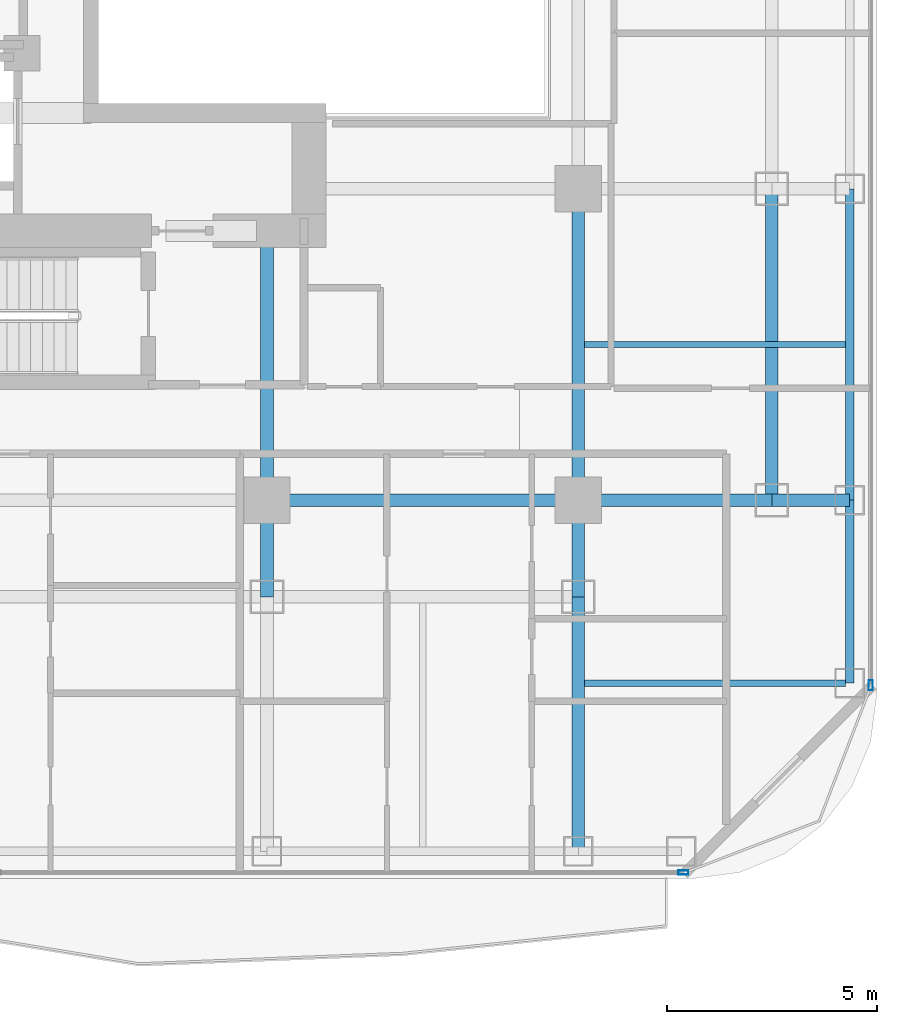
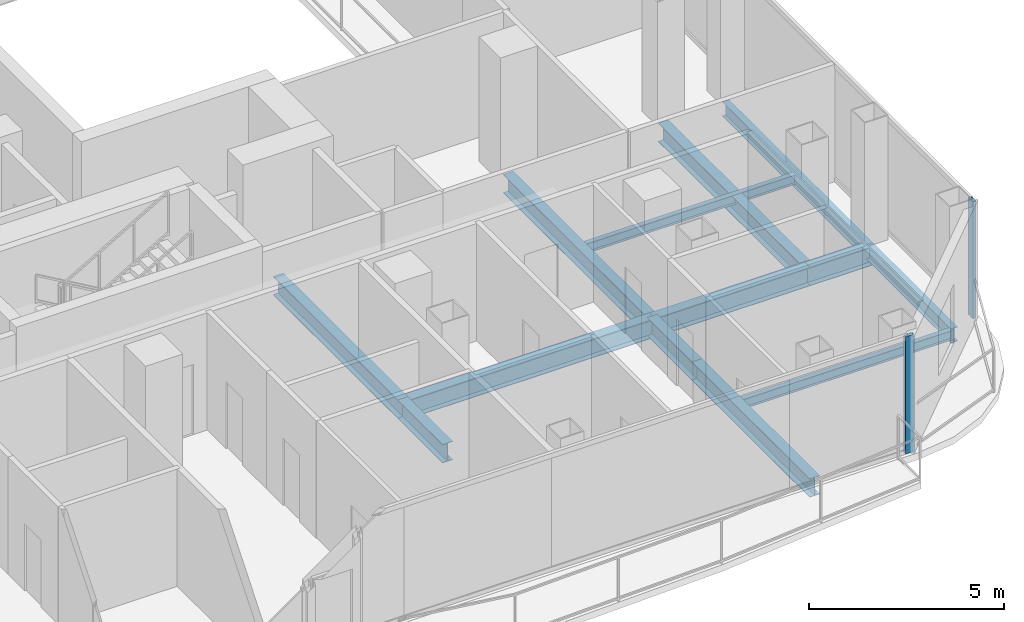
# One storey, part 7 of 25: 13 beams, 2 members, 2 elements without a shape of their own.
"""IFC4 building model written with IfcOpenShell, lengths in metres."""

from ifc_helpers import new_model, si_unit, direction, frame, origin, origin_2d, place, context, subcontext, project, spatial, hollow_rectangle, i_section, extrude, material, layer, layer_set, material_profile, profile_set, type_object, element, aggregate, save


model = new_model("IFC4")

# Units and contexts
model_context = context("Model", 3, precision=1e-05, world=origin(), true_north=direction((0.0, 1.0)))
body_context = subcontext(model_context, "Body", "Model", "MODEL_VIEW")
ifc_project = project(units=[si_unit("LENGTHUNIT", "METRE"), si_unit("AREAUNIT", "SQUARE_METRE"), si_unit("VOLUMEUNIT", "CUBIC_METRE"), si_unit("PLANEANGLEUNIT", "RADIAN"), si_unit("MASSUNIT", "GRAM", prefix="KILO")], contexts=[model_context])

# Site, building, storey
site_placement = place(None, origin())
site = spatial("IfcSite", under=ifc_project, at=site_placement, CompositionType="ELEMENT")
building_placement = place(site_placement, origin())
building = spatial("IfcBuilding", under=site, at=building_placement, Name="Khorvyn Point Tower", CompositionType="ELEMENT")
storey_placement = place(building_placement, frame((0.0, 0.0, 171.89990234375)))
storey = spatial("IfcBuildingStorey", under=building, at=storey_placement, Name="L42", CompositionType="ELEMENT", Elevation=171.89990234375)

# Curtain wall, member
ifc_material_1 = material(Name="Anodised aluminium 6063-T6 and laminated Low-E glass", Category="aluminium")
ifc_layer = layer(ifc_material_1, 0.18994140625)
ifc_layer_set = layer_set([ifc_layer], Name="Stick-Built Acoustic Curtain Wall CW-SYS-03")
curtain_wall_type = type_object("IfcCurtainWallType", Name="Stick-Built Acoustic Curtain Wall CW-SYS-03", PredefinedType="NOTDEFINED", material=ifc_layer_set)
curtain_wall_1_placement = place(storey_placement, origin())
curtain_wall_1 = element("IfcCurtainWall", 1, at=curtain_wall_1_placement, inside=storey, type_object=curtain_wall_type, Name="Curtain Wall", PredefinedType="NOTDEFINED")
ifc_material_2 = material(Name="Anodised aluminium 6063-T6", Category="aluminium")
ifc_material_profile_1 = material_profile(ifc_material_2, hollow_rectangle(XDim=0.10009765625, YDim=0.239990234375, WallThickness=0.0048828125, at=origin_2d()))
ifc_profile_set_1 = profile_set([ifc_material_profile_1], Name="Anodised aluminium 6063-T6 ALU-MUL-100x240")
member_type = type_object("IfcMemberType", Name="Anodised Aluminium 6063-T6 Mullion ALU-MUL-100x240", PredefinedType="MULLION", material=ifc_profile_set_1)
member_1_placement = place(storey_placement, frame((17.300048828125, -23.64990234375, 0.0), z_axis=(0.0, 0.0, 1.0), x_axis=(0.0, -1.0, 0.0)))
member_1 = element("IfcMember", 2, at=member_1_placement, type_object=member_type, Name="Transom", PredefinedType="MULLION", context=body_context, shape_type="SweptSolid", body=[
    extrude(hollow_rectangle(XDim=0.10009765625, YDim=0.239990234375, WallThickness=0.0048828125, at=origin_2d()), origin(), (0.0, 0.0, 1.0), 3.68017578125),
])
aggregate(curtain_wall_1, [member_1])

curtain_wall_2_placement = place(storey_placement, origin())
curtain_wall_2 = element("IfcCurtainWall", 3, at=curtain_wall_2_placement, inside=storey, type_object=curtain_wall_type, Name="Curtain Wall", PredefinedType="NOTDEFINED")
member_2_placement = place(storey_placement, frame((21.75, -19.199951171875, 0.0), z_axis=(0.0, 0.0, 1.0), x_axis=(1.0, 0.0, 0.0)))
member_2 = element("IfcMember", 4, at=member_2_placement, type_object=member_type, Name="Transom", PredefinedType="MULLION", context=body_context, shape_type="SweptSolid", body=[
    extrude(hollow_rectangle(XDim=0.10009765625, YDim=0.239990234375, WallThickness=0.0048828125, at=origin_2d()), origin(), (0.0, 0.0, 1.0), 3.68017578125),
])
aggregate(curtain_wall_2, [member_2])

# Beams
ifc_material_3 = material(Name="Steel S355", Category="steel")
ifc_material_profile_2 = material_profile(ifc_material_3, i_section(OverallWidth=0.300048828125, OverallDepth=0.587890625, WebThickness=0.011962890625, FlangeThickness=0.02001953125, at=origin_2d()))
ifc_profile_set_2 = profile_set([ifc_material_profile_2], Name="Steel S355 H588x300x12x20")
beam_type_1 = type_object("IfcBeamType", Name="Steel S355 Beam H588x300x12x20", PredefinedType="BEAM", material=ifc_profile_set_2)
beam_1_placement = place(storey_placement, frame((7.39990234375, -14.800048828125, -0.513916015625), z_axis=(1.0, 0.0, 0.0), x_axis=(0.0, 1.0, 0.0)))
element("IfcBeam", 5, at=beam_1_placement, inside=storey, type_object=beam_type_1, Name="Beam", PredefinedType="BEAM", context=body_context, shape_type="SweptSolid", body=[
    extrude(i_section(OverallWidth=0.300048828125, OverallDepth=0.587890625, WebThickness=0.011962890625, FlangeThickness=0.02001953125, at=origin_2d()), origin(), (0.0, 0.0, 1.0), 7.400146484375),
])
beam_2_placement = place(storey_placement, frame((14.800048828125, -14.800048828125, -0.513916015625), z_axis=(1.0, 0.0, 0.0), x_axis=(0.0, 1.0, 0.0)))
element("IfcBeam", 6, at=beam_2_placement, inside=storey, type_object=beam_type_1, Name="Beam", PredefinedType="BEAM", context=body_context, shape_type="SweptSolid", body=[
    extrude(i_section(OverallWidth=0.300048828125, OverallDepth=0.587890625, WebThickness=0.011962890625, FlangeThickness=0.02001953125, at=origin_2d()), origin(), (0.0, 0.0, 1.0), 4.599853515625),
])
beam_3_placement = place(storey_placement, frame((19.39990234375, -14.800048828125, -0.513916015625), z_axis=(1.0, 0.0, 0.0), x_axis=(0.0, 1.0, 0.0)))
element("IfcBeam", 7, at=beam_3_placement, inside=storey, type_object=beam_type_1, Name="Beam", PredefinedType="BEAM", context=body_context, shape_type="SweptSolid", body=[
    extrude(i_section(OverallWidth=0.300048828125, OverallDepth=0.587890625, WebThickness=0.011962890625, FlangeThickness=0.02001953125, at=origin_2d()), origin(), (0.0, 0.0, 1.0), 1.85009765625),
])
beam_4_placement = place(storey_placement, frame((14.800048828125, -23.14990234375, -0.513916015625), z_axis=(0.0, 1.0, 0.0), x_axis=(-1.0, 0.0, 0.0)))
element("IfcBeam", 8, at=beam_4_placement, inside=storey, type_object=beam_type_1, Name="Beam", PredefinedType="BEAM", context=body_context, shape_type="SweptSolid", body=[
    extrude(i_section(OverallWidth=0.300048828125, OverallDepth=0.587890625, WebThickness=0.011962890625, FlangeThickness=0.02001953125, at=origin_2d()), origin(), (0.0, 0.0, 1.0), 6.0498046875),
])
beam_5_placement = place(storey_placement, frame((14.800048828125, -17.10009765625, -0.513916015625), z_axis=(0.0, 1.0, 0.0), x_axis=(-1.0, 0.0, 0.0)))
element("IfcBeam", 9, at=beam_5_placement, inside=storey, type_object=beam_type_1, Name="Beam", PredefinedType="BEAM", context=body_context, shape_type="SweptSolid", body=[
    extrude(i_section(OverallWidth=0.300048828125, OverallDepth=0.587890625, WebThickness=0.011962890625, FlangeThickness=0.02001953125, at=origin_2d()), origin(), (0.0, 0.0, 1.0), 2.300048828125),
])
beam_6_placement = place(storey_placement, frame((14.800048828125, -14.800048828125, -0.513916015625), z_axis=(0.0, 1.0, 0.0), x_axis=(-1.0, 0.0, 0.0)))
element("IfcBeam", 10, at=beam_6_placement, inside=storey, type_object=beam_type_1, Name="Beam", PredefinedType="BEAM", context=body_context, shape_type="SweptSolid", body=[
    extrude(i_section(OverallWidth=0.300048828125, OverallDepth=0.587890625, WebThickness=0.011962890625, FlangeThickness=0.02001953125, at=origin_2d()), origin(), (0.0, 0.0, 1.0), 7.400146484375),
])
beam_7_placement = place(storey_placement, frame((7.39990234375, -17.10009765625, -0.513916015625), z_axis=(0.0, 1.0, 0.0), x_axis=(-1.0, 0.0, 0.0)))
element("IfcBeam", 11, at=beam_7_placement, inside=storey, type_object=beam_type_1, Name="Beam", PredefinedType="BEAM", context=body_context, shape_type="SweptSolid", body=[
    extrude(i_section(OverallWidth=0.300048828125, OverallDepth=0.587890625, WebThickness=0.011962890625, FlangeThickness=0.02001953125, at=origin_2d()), origin(), (0.0, 0.0, 1.0), 2.300048828125),
])
beam_8_placement = place(storey_placement, frame((7.39990234375, -14.800048828125, -0.513916015625), z_axis=(0.0, 1.0, 0.0), x_axis=(-1.0, 0.0, 0.0)))
element("IfcBeam", 12, at=beam_8_placement, inside=storey, type_object=beam_type_1, Name="Beam", PredefinedType="BEAM", context=body_context, shape_type="SweptSolid", body=[
    extrude(i_section(OverallWidth=0.300048828125, OverallDepth=0.587890625, WebThickness=0.011962890625, FlangeThickness=0.02001953125, at=origin_2d()), origin(), (0.0, 0.0, 1.0), 6.400146484375),
])
beam_9_placement = place(storey_placement, frame((19.39990234375, -14.800048828125, -0.513916015625), z_axis=(0.0, 1.0, 0.0), x_axis=(-1.0, 0.0, 0.0)))
element("IfcBeam", 13, at=beam_9_placement, inside=storey, type_object=beam_type_1, Name="Beam", PredefinedType="BEAM", context=body_context, shape_type="SweptSolid", body=[
    extrude(i_section(OverallWidth=0.300048828125, OverallDepth=0.587890625, WebThickness=0.011962890625, FlangeThickness=0.02001953125, at=origin_2d()), origin(), (0.0, 0.0, 1.0), 7.400146484375),
])
ifc_material_profile_3 = material_profile(ifc_material_3, i_section(OverallWidth=0.14990234375, OverallDepth=0.300048828125, WebThickness=0.006591796875, FlangeThickness=0.009033203125, at=origin_2d()))
ifc_profile_set_3 = profile_set([ifc_material_profile_3], Name="Steel S355 H300x150x6.5x9")
beam_type_2 = type_object("IfcBeamType", Name="Steel S355 Joist H300x150x6.5x9", PredefinedType="JOIST", material=ifc_profile_set_3)
for number, where, z_axis, x_axis, name in (
    (14, (14.949951171875, -11.10009765625, -0.369873046875), (1.0, 0.0, 0.0), (0.0, 1.0, 0.0), "Beam"),
    (15, (14.949951171875, -19.14990234375, -0.369873046875), (1.0, 0.0, 0.0), (0.0, 1.0, 0.0), "Beam"),
):
    element("IfcBeam", number, at=place(storey_placement, frame(where, z_axis=z_axis, x_axis=x_axis)), inside=storey, type_object=beam_type_2, Name=name, PredefinedType="JOIST", context=body_context, shape_type="SweptSolid", body=[
        extrude(i_section(OverallWidth=0.14990234375, OverallDepth=0.300048828125, WebThickness=0.006591796875, FlangeThickness=0.009033203125, at=origin_2d()), origin(), (0.0, 0.0, 1.0), 6.199951171875),
    ])
ifc_material_profile_4 = material_profile(ifc_material_3, i_section(OverallWidth=0.199951171875, OverallDepth=0.449951171875, WebThickness=0.009033203125, FlangeThickness=0.013916015625, at=origin_2d()))
ifc_profile_set_4 = profile_set([ifc_material_profile_4], Name="Steel S355 H450x200x9x14")
beam_type_3 = type_object("IfcBeamType", Name="Steel S355 Spandrel H450x200x9x14", PredefinedType="SPANDREL", material=ifc_profile_set_4)
beam_10_placement = place(storey_placement, frame((21.25, -19.14990234375, -0.44482421875), z_axis=(0.0, 1.0, 0.0), x_axis=(-1.0, 0.0, 0.0)))
element("IfcBeam", 16, at=beam_10_placement, inside=storey, type_object=beam_type_3, Name="Beam", PredefinedType="SPANDREL", context=body_context, shape_type="SweptSolid", body=[
    extrude(i_section(OverallWidth=0.199951171875, OverallDepth=0.449951171875, WebThickness=0.009033203125, FlangeThickness=0.013916015625, at=origin_2d()), origin(), (0.0, 0.0, 1.0), 4.349853515625),
])
beam_11_placement = place(storey_placement, frame((21.25, -14.800048828125, -0.44482421875), z_axis=(0.0, 1.0, 0.0), x_axis=(-1.0, 0.0, 0.0)))
element("IfcBeam", 17, at=beam_11_placement, inside=storey, type_object=beam_type_3, Name="Beam", PredefinedType="SPANDREL", context=body_context, shape_type="SweptSolid", body=[
    extrude(i_section(OverallWidth=0.199951171875, OverallDepth=0.449951171875, WebThickness=0.009033203125, FlangeThickness=0.013916015625, at=origin_2d()), origin(), (0.0, 0.0, 1.0), 7.400146484375),
])

save(model, "model.ifc")
